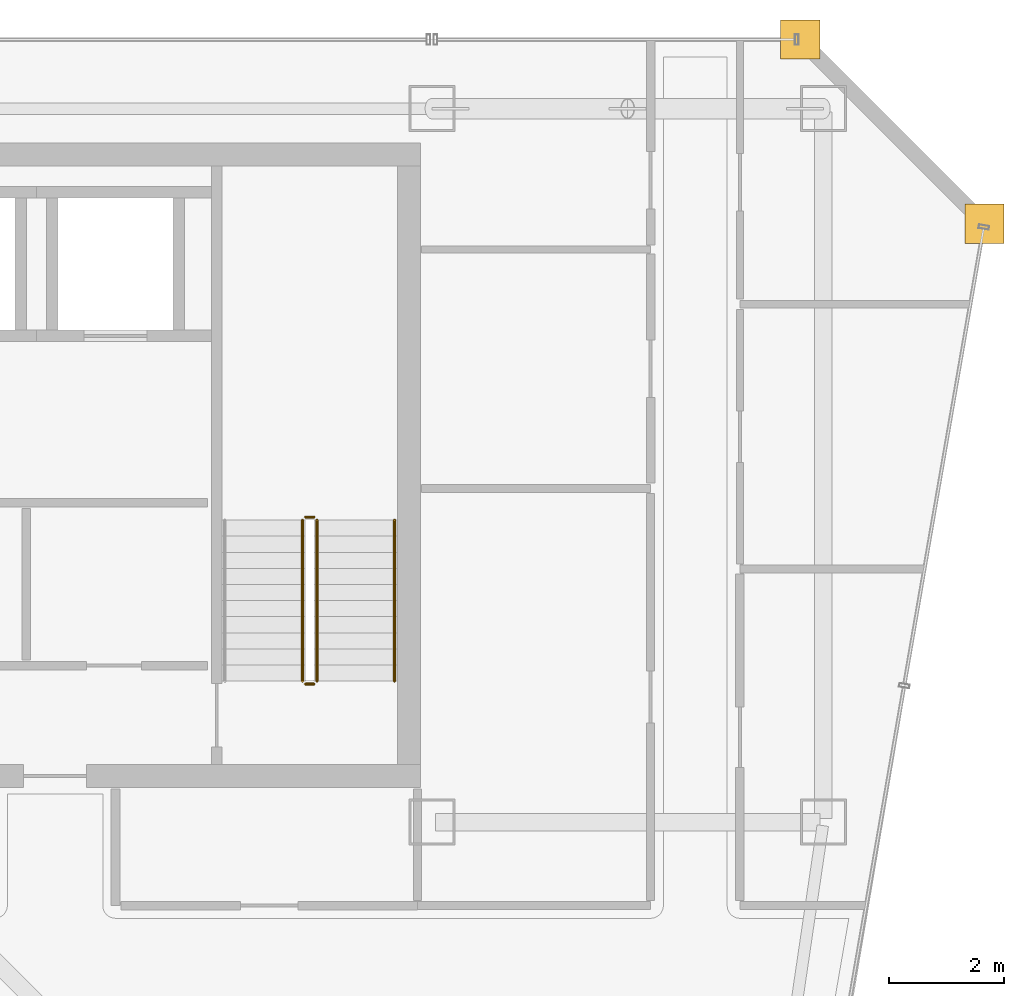
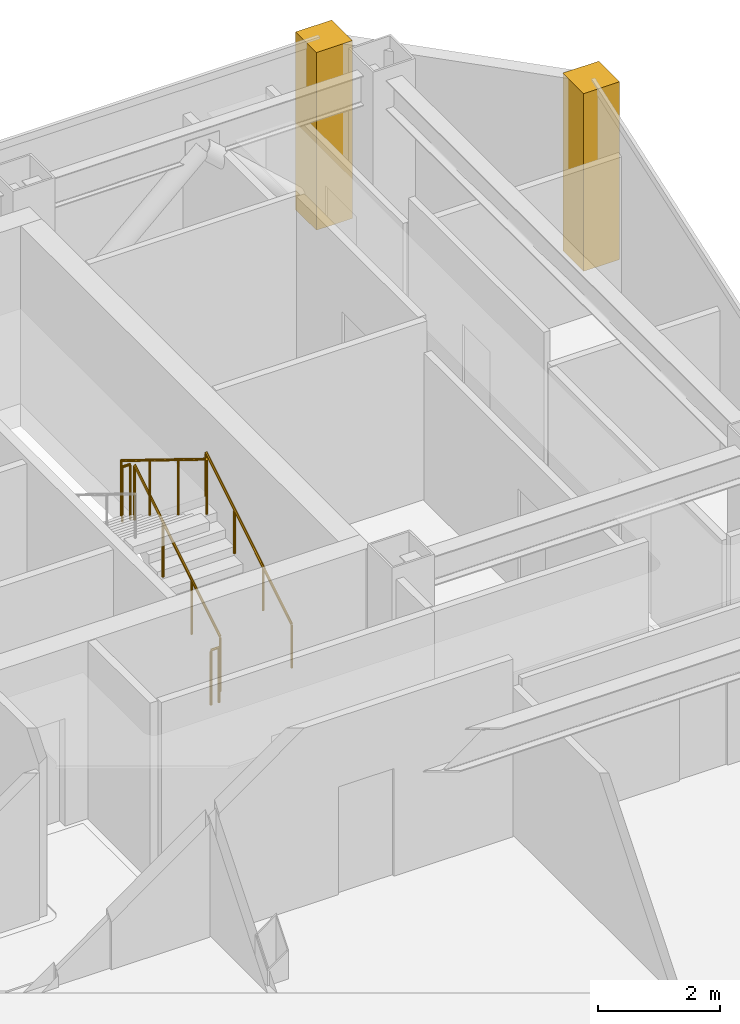
# One storey, part 31 of 31: 5 railings, 2 coverings.
"""IFC4 building model written with IfcOpenShell, lengths in metres."""

import ifcopenshell
import ifcopenshell.guid

model = None  # the IFC model being written
_history = None  # IfcOwnerHistory: only IFC2X3 demands one
_inside = {}  # id of a spatial element -> (the spatial element, [elements in it])
_under = {}  # id of a project, library or spatial element -> (it, [spatial elements below it])
_declared = {}  # id of a project -> (the project, [libraries it declares])
_typed = {}  # id of a type object -> (the type object, [elements of that type])
_made_of = {}  # id of a material, layer set ... -> (it, [elements and type objects made of it])


def new_model(schema):
    """Start an empty IFC model of exactly this schema.

    Asked for "IFC4X3", IfcOpenShell would pick the latest addendum, in which some entities
    have other attributes; the version numbers below select the first issue.
    IFC2X3 requires an IfcOwnerHistory on every rooted entity: one is made here for all.
    """
    global model, _history
    if schema == "IFC4X3":
        model = ifcopenshell.file(schema_version=(4, 3, 0, 0))
    else:
        model = ifcopenshell.file(schema=schema)
    _inside.clear()
    _under.clear()
    _declared.clear()
    _typed.clear()
    _made_of.clear()
    _history = None
    if model.schema == "IFC2X3":
        org = make("IfcOrganization", Name="unknown")
        user = make(
            "IfcPersonAndOrganization",
            ThePerson=make("IfcPerson", FamilyName="unknown"),
            TheOrganization=org,
        )
        app = make(
            "IfcApplication",
            ApplicationDeveloper=org,
            Version="unknown",
            ApplicationFullName="unknown",
            ApplicationIdentifier="unknown",
        )
        _history = make(
            "IfcOwnerHistory",
            OwningUser=user,
            OwningApplication=app,
            ChangeAction="ADDED",
            CreationDate=0,
        )
    return model


def make(cls, **values):
    """One entity of the class cls with the attributes given. An attribute that is None is left unset."""
    return model.create_entity(
        cls, **{name: value for name, value in values.items() if value is not None}
    )


def rooted(cls, **values):
    """An entity with a GlobalId (a new one), such as an element, a storey or a relation."""
    return make(cls, GlobalId=ifcopenshell.guid.new(), OwnerHistory=_history, **values)


def si_unit(unit_type, name, prefix=None):
    """IfcSIUnit, for example si_unit("LENGTHUNIT", "METRE", prefix="MILLI")."""
    return make("IfcSIUnit", UnitType=unit_type, Prefix=prefix, Name=name)


def assignment(units):
    """IfcUnitAssignment: the units of a project."""
    return None if units is None else make("IfcUnitAssignment", Units=units)


def point(xyz):
    """IfcCartesianPoint."""
    return None if xyz is None else make("IfcCartesianPoint", Coordinates=xyz)


def direction(xyz):
    """IfcDirection."""
    return None if xyz is None else make("IfcDirection", DirectionRatios=xyz)


def frame(location, z_axis=None, x_axis=None):
    """IfcAxis2Placement3D, a coordinate frame: its origin and axes. An axis left out is left unset."""
    return make(
        "IfcAxis2Placement3D",
        Location=point(location),
        Axis=direction(z_axis),
        RefDirection=direction(x_axis),
    )


def frame_2d(location, x_axis=None):
    """IfcAxis2Placement2D, a coordinate frame in the plane: its origin and x axis."""
    return make(
        "IfcAxis2Placement2D", Location=point(location), RefDirection=direction(x_axis)
    )


def origin():
    """The frame at (0, 0, 0) with its axes left unset."""
    return frame((0.0, 0.0, 0.0))


def origin_2d():
    """The frame at (0, 0) in the plane with its x axis left unset."""
    return frame_2d((0.0, 0.0))


def place(relative_to, where):
    """IfcLocalPlacement: puts the frame where relative to a parent placement (None: the world)."""
    return make(
        "IfcLocalPlacement", PlacementRelTo=relative_to, RelativePlacement=where
    )


def context(
    kind, dimensions, precision=None, world=None, true_north=None, identifier=None
):
    """IfcGeometricRepresentationContext, for example the 3D "Model" context."""
    return make(
        "IfcGeometricRepresentationContext",
        ContextIdentifier=identifier,
        ContextType=kind,
        CoordinateSpaceDimension=dimensions,
        Precision=precision,
        WorldCoordinateSystem=world,
        TrueNorth=true_north,
    )


def subcontext(parent, identifier, kind, view, scale=None):
    """IfcGeometricRepresentationSubContext, for example "Body" below "Model"."""
    return make(
        "IfcGeometricRepresentationSubContext",
        ContextIdentifier=identifier,
        ContextType=kind,
        ParentContext=parent,
        TargetScale=scale,
        TargetView=view,
    )


def project(units=None, contexts=None):
    """IfcProject with its units and contexts."""
    return rooted(
        "IfcProject",
        Name="project",
        RepresentationContexts=contexts,
        UnitsInContext=assignment(units),
    )


def spatial(cls, under=None, at=None, **own):
    """A site, building, storey or space (cls), placed at a placement, below another one or the project."""
    s = rooted(cls, ObjectPlacement=at, **own)
    if under is not None:
        _under.setdefault(under.id(), (under, []))[1].append(s)
    return s


def polyline(points):
    """IfcPolyline through the points."""
    return make("IfcPolyline", Points=[point(p) for p in points])


def profile(cls, at=None, kind="AREA", **sizes):
    """A parametric profile (cls). Its sizes go by their IFC names, for example OverallWidth=200.0."""
    return make(cls, ProfileType=kind, Position=at, **sizes)


def circle(**sizes):
    """IfcCircleProfileDef."""
    return profile("IfcCircleProfileDef", **sizes)


def outline(outer, holes=None, kind="AREA"):
    """IfcArbitraryClosedProfileDef: a profile drawn as a closed curve; with holes, ...WithVoids."""
    if holes is None:
        return make("IfcArbitraryClosedProfileDef", ProfileType=kind, OuterCurve=outer)
    return make(
        "IfcArbitraryProfileDefWithVoids",
        ProfileType=kind,
        OuterCurve=outer,
        InnerCurves=holes,
    )


def extrude(swept, where, along, depth):
    """IfcExtrudedAreaSolid: the profile swept, set in the frame where, extruded along a direction by depth."""
    return make(
        "IfcExtrudedAreaSolid",
        SweptArea=swept,
        Position=where,
        ExtrudedDirection=direction(along),
        Depth=depth,
    )


def shape(context_of_items, identifier, shape_type, items):
    """IfcShapeRepresentation: the items that make up one representation, for example the "Body"."""
    return make(
        "IfcShapeRepresentation",
        ContextOfItems=context_of_items,
        RepresentationIdentifier=identifier,
        RepresentationType=shape_type,
        Items=items,
    )


def material(Name=None, Category=None):
    """IfcMaterial."""
    return make("IfcMaterial", Name=Name, Category=Category)


def layer(
    of_material, thickness, ventilated=None, Name=None, Category=None, Priority=None
):
    """IfcMaterialLayer: one layer of a wall or slab, of a material (None: an air gap)."""
    return make(
        "IfcMaterialLayer",
        Material=of_material,
        LayerThickness=thickness,
        IsVentilated=ventilated,
        Name=Name,
        Category=Category,
        Priority=Priority,
    )


def layer_set(layers, Name=None):
    """IfcMaterialLayerSet."""
    return make("IfcMaterialLayerSet", MaterialLayers=layers, LayerSetName=Name)


def made_of(thing, what):
    """Note that an element or type object is made of a material, layer set ...; save() writes the relation."""
    if what is not None:
        _made_of.setdefault(what.id(), (what, []))[1].append(thing)
    return thing


def type_object(cls, material=None, **own):
    """A type object (cls), such as IfcWallType, which elements share."""
    return made_of(rooted(cls, **own), material)


def element(
    cls,
    number,
    at=None,
    inside=None,
    cuts=None,
    type_object=None,
    material=None,
    context=None,
    identifier="Body",
    shape_type=None,
    held_by="IfcProductDefinitionShape",
    body=None,
    shapes=None,
    **own,
):
    """One element of the class cls, such as IfcWall. Its Tag is "e" and its number.

    at: its placement. inside: the storey or other place that contains it. cuts: it is an
    opening in that element (IfcRelVoidsElement). A single representation is given by context,
    identifier, shape_type and body (its items); several are given by shapes. held_by: the class
    of the entity that holds the representations. save() writes the other relations.
    """
    e = rooted(cls, Tag="e%d" % number, ObjectPlacement=at, **own)
    if body is not None:
        shapes = [shape(context, identifier, shape_type, body)]
    if shapes is not None:
        e.Representation = make(held_by, Representations=shapes)
    if inside is not None:
        _inside.setdefault(inside.id(), (inside, []))[1].append(e)
    if cuts is not None:
        rooted(
            "IfcRelVoidsElement", RelatingBuildingElement=cuts, RelatedOpeningElement=e
        )
    if type_object is not None:
        _typed.setdefault(type_object.id(), (type_object, []))[1].append(e)
    return made_of(e, material)


def aggregate(whole, parts):
    """IfcRelAggregates: a whole, such as a stair, and the parts it consists of."""
    return rooted("IfcRelAggregates", RelatingObject=whole, RelatedObjects=parts)


def save(model, path):
    """Write the relations noted so far, then the file.

    IfcRelAggregates (storeys below a building ...), IfcRelContainedInSpatialStructure (elements
    in a storey), IfcRelDefinesByType, IfcRelAssociatesMaterial and IfcRelDeclares: one each for
    every whole, place, type object, material and project.
    """
    for whole, parts in _under.values():
        aggregate(whole, parts)
    for where, things in _inside.values():
        rooted(
            "IfcRelContainedInSpatialStructure",
            RelatedElements=things,
            RelatingStructure=where,
        )
    for kind, things in _typed.values():
        rooted("IfcRelDefinesByType", RelatedObjects=things, RelatingType=kind)
    for what, things in _made_of.values():
        rooted("IfcRelAssociatesMaterial", RelatedObjects=things, RelatingMaterial=what)
    for by, libraries in _declared.values():
        rooted("IfcRelDeclares", RelatingContext=by, RelatedDefinitions=libraries)
    model.write(path)


model = new_model("IFC4")

# Units and contexts
model_context = context("Model", 3, precision=1e-05, world=origin(), true_north=direction((0.0, 1.0)))
body_context = subcontext(model_context, "Body", "Model", "MODEL_VIEW")
ifc_project = project(units=[si_unit("LENGTHUNIT", "METRE"), si_unit("AREAUNIT", "SQUARE_METRE"), si_unit("VOLUMEUNIT", "CUBIC_METRE"), si_unit("PLANEANGLEUNIT", "RADIAN"), si_unit("MASSUNIT", "GRAM", prefix="KILO")], contexts=[model_context])

# Site, building, storey
site_placement = place(None, origin())
site = spatial("IfcSite", under=ifc_project, at=site_placement, CompositionType="ELEMENT")
building_placement = place(site_placement, origin())
building = spatial("IfcBuilding", under=site, at=building_placement, Name="Saevonmaru Cultural Tower", CompositionType="ELEMENT")
storey_placement = place(building_placement, frame((0.0, 0.0, 230.60009765625)))
storey = spatial("IfcBuildingStorey", under=building, at=storey_placement, Name="L53", CompositionType="ELEMENT", Elevation=230.60009765625)

# Coverings
ifc_material_1 = material(Name="Satin Bronze Anodised Aluminium", Category="aluminium")
ifc_layer = layer(ifc_material_1, 0.679931640625, Name="Satin Bronze Anodised Aluminium")
ifc_layer_set = layer_set([ifc_layer], Name="Satin Bronze Anodised Aluminium")
covering_type = type_object("IfcCoveringType", Name="CV-CORNER-CLAD", PredefinedType="CLADDING", material=ifc_layer_set)
covering_1_placement = place(storey_placement, origin())
element("IfcCovering", 1, at=covering_1_placement, inside=storey, type_object=covering_type, Name="L53 Tower Bronze Corner Cladding Pier 9", PredefinedType="CLADDING", context=body_context, shape_type="SweptSolid", body=[
    extrude(outline(polyline([(55.659912109375, 52.4599609375), (56.340087890625, 52.4599609375), (56.340087890625, 53.139892578125), (55.659912109375, 53.139892578125), (55.659912109375, 52.4599609375)])), origin(), (0.0, 0.0, 1.0), 3.5498046875),
])
covering_2_placement = place(storey_placement, origin())
element("IfcCovering", 2, at=covering_2_placement, inside=storey, type_object=covering_type, Name="L53 Tower Bronze Corner Cladding Pier 10", PredefinedType="CLADDING", context=body_context, shape_type="SweptSolid", body=[
    extrude(outline(polyline([(52.4599609375, 55.659912109375), (53.139892578125, 55.659912109375), (53.139892578125, 56.340087890625), (52.4599609375, 56.340087890625), (52.4599609375, 55.659912109375)])), origin(), (0.0, 0.0, 1.0), 3.5498046875),
])

# Railings
ifc_material_2 = material(Name="Architectural Painted Steel", Category="steel")
railing_type_1 = type_object("IfcRailingType", Name="RL-STAIR-GUARD", PredefinedType="GUARDRAIL", material=ifc_material_2)
railing_1_placement = place(storey_placement, frame((44.39990234375, 44.85009765625, 0.172607421875)))
element("IfcRailing", 3, at=railing_1_placement, inside=storey, type_object=railing_type_1, Name="L53 ST-2 stair guard 1", PredefinedType="GUARDRAIL", context=body_context, shape_type="SweptSolid", body=[
    extrude(circle(Radius=0.02392578125, at=origin_2d()), frame((0.0, 0.0, 1.09619140625), z_axis=(0.0, 0.851069175582, 0.525053576669), x_axis=(-1.0, 0.0, 0.0)), (0.0, 0.0, 1.0), 3.289794921875),
    extrude(circle(Radius=0.02099609375, at=origin_2d()), origin(), (0.0, 0.0, 1.0), 1.072021484375),
    extrude(circle(Radius=0.02099609375, at=origin_2d()), frame((0.0, 0.933349609375, 0.57568359375)), (0.0, 0.0, 1.0), 1.072021484375),
    extrude(circle(Radius=0.02099609375, at=origin_2d()), frame((0.0, 1.866455078125, 1.151611328125)), (0.0, 0.0, 1.0), 1.072021484375),
    extrude(circle(Radius=0.02099609375, at=origin_2d()), frame((0.0, 2.7998046875, 1.727294921875)), (0.0, 0.0, 1.0), 1.072021484375),
])
railing_2_placement = place(storey_placement, frame((44.35009765625, 47.699951171875, 1.89990234375)))
element("IfcRailing", 4, at=railing_2_placement, inside=storey, type_object=railing_type_1, Name="L53 ST-2 stair guard 2", PredefinedType="GUARDRAIL", context=body_context, shape_type="SweptSolid", body=[
    extrude(circle(Radius=0.02392578125, at=origin_2d()), frame((0.0, 0.0, 1.09619140625), z_axis=(-1.0, 0.0, 0.0), x_axis=(0.0, -1.0, 0.0)), (0.0, 0.0, 1.0), 0.150146484375),
    extrude(circle(Radius=0.02099609375, at=origin_2d()), origin(), (0.0, 0.0, 1.0), 1.072021484375),
    extrude(circle(Radius=0.02099609375, at=origin_2d()), frame((-0.150146484375, 0.0, 0.0)), (0.0, 0.0, 1.0), 1.072021484375),
])
railing_3_placement = place(storey_placement, frame((44.14990234375, 47.64990234375, 2.072509765625)))
element("IfcRailing", 5, at=railing_3_placement, inside=storey, type_object=railing_type_1, Name="L53 ST-2 stair guard 3", PredefinedType="GUARDRAIL", context=body_context, shape_type="SweptSolid", body=[
    extrude(circle(Radius=0.02392578125, at=origin_2d()), frame((0.0, 0.0, 1.09619140625), z_axis=(0.0, -0.851069175582, 0.525053576669), x_axis=(1.0, 0.0, 0.0)), (0.0, 0.0, 1.0), 3.289794921875),
    extrude(circle(Radius=0.02099609375, at=origin_2d()), origin(), (0.0, 0.0, 1.0), 1.072021484375),
    extrude(circle(Radius=0.02099609375, at=origin_2d()), frame((0.0, -0.933349609375, 0.57568359375)), (0.0, 0.0, 1.0), 1.072021484375),
    extrude(circle(Radius=0.02099609375, at=origin_2d()), frame((0.0, -1.866455078125, 1.151611328125)), (0.0, 0.0, 1.0), 1.072021484375),
    extrude(circle(Radius=0.02099609375, at=origin_2d()), frame((0.0, -2.7998046875, 1.727294921875)), (0.0, 0.0, 1.0), 1.072021484375),
])
railing_4_placement = place(storey_placement, frame((44.35009765625, 44.800048828125, 0.0)))
element("IfcRailing", 6, at=railing_4_placement, inside=storey, type_object=railing_type_1, Name="L53 ST-2 stair guard 4", PredefinedType="GUARDRAIL", context=body_context, shape_type="SweptSolid", body=[
    extrude(circle(Radius=0.02392578125, at=origin_2d()), frame((0.0, 0.0, 1.09619140625), z_axis=(-1.0, 0.0, 0.0), x_axis=(0.0, -1.0, 0.0)), (0.0, 0.0, 1.0), 0.150146484375),
    extrude(circle(Radius=0.02099609375, at=origin_2d()), origin(), (0.0, 0.0, 1.0), 1.072021484375),
    extrude(circle(Radius=0.02099609375, at=origin_2d()), frame((-0.150146484375, 0.0, 0.0)), (0.0, 0.0, 1.0), 1.072021484375),
])
railing_type_2 = type_object("IfcRailingType", Name="RL-STAIR-HANDRAIL", PredefinedType="HANDRAIL", material=ifc_material_1)
railing_5_placement = place(storey_placement, frame((45.75, 44.85009765625, 0.172607421875)))
element("IfcRailing", 7, at=railing_5_placement, inside=storey, type_object=railing_type_2, Name="L53 ST-2 stair handrail 1", PredefinedType="HANDRAIL", context=body_context, shape_type="SweptSolid", body=[
    extrude(circle(Radius=0.02392578125, at=origin_2d()), frame((0.0, 0.0, 0.8759765625), z_axis=(0.0, 0.851069175582, 0.525053576669), x_axis=(-1.0, 0.0, 0.0)), (0.0, 0.0, 1.0), 3.289794921875),
    extrude(circle(Radius=0.02099609375, at=origin_2d()), origin(), (0.0, 0.0, 1.0), 0.851806640625),
    extrude(circle(Radius=0.02099609375, at=origin_2d()), frame((0.0, 0.933349609375, 0.57568359375)), (0.0, 0.0, 1.0), 0.851806640625),
    extrude(circle(Radius=0.02099609375, at=origin_2d()), frame((0.0, 1.866455078125, 1.151611328125)), (0.0, 0.0, 1.0), 0.851806640625),
    extrude(circle(Radius=0.02099609375, at=origin_2d()), frame((0.0, 2.7998046875, 1.727294921875)), (0.0, 0.0, 1.0), 0.851806640625),
])

save(model, "model.ifc")
